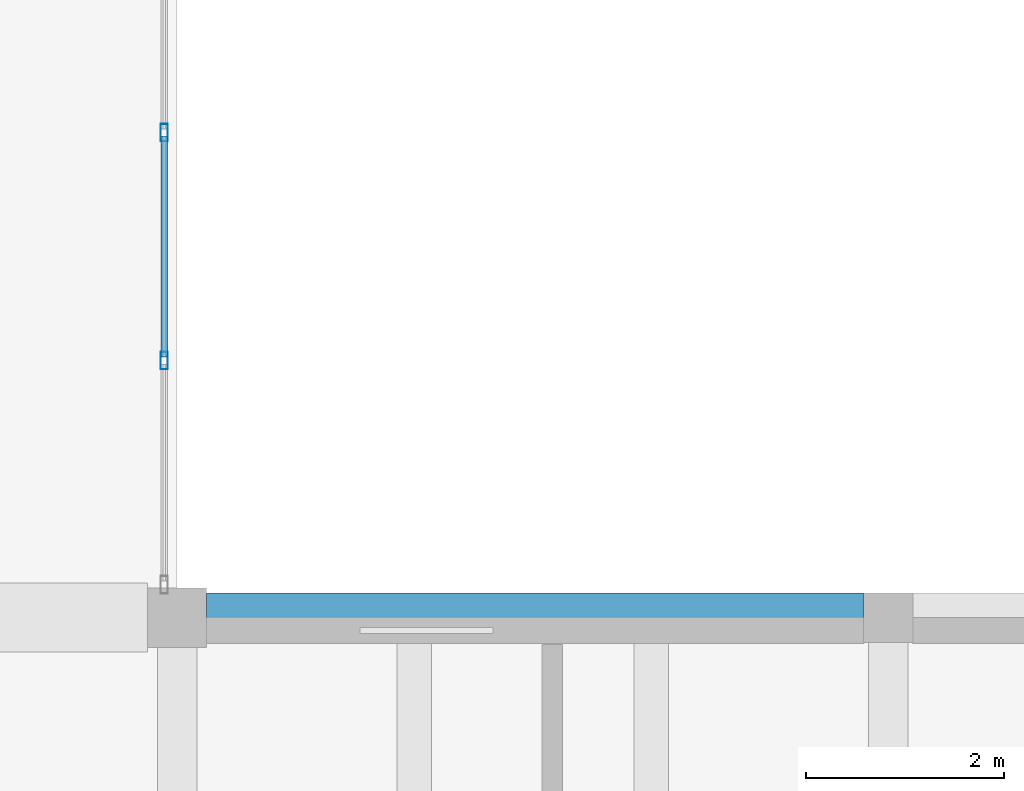
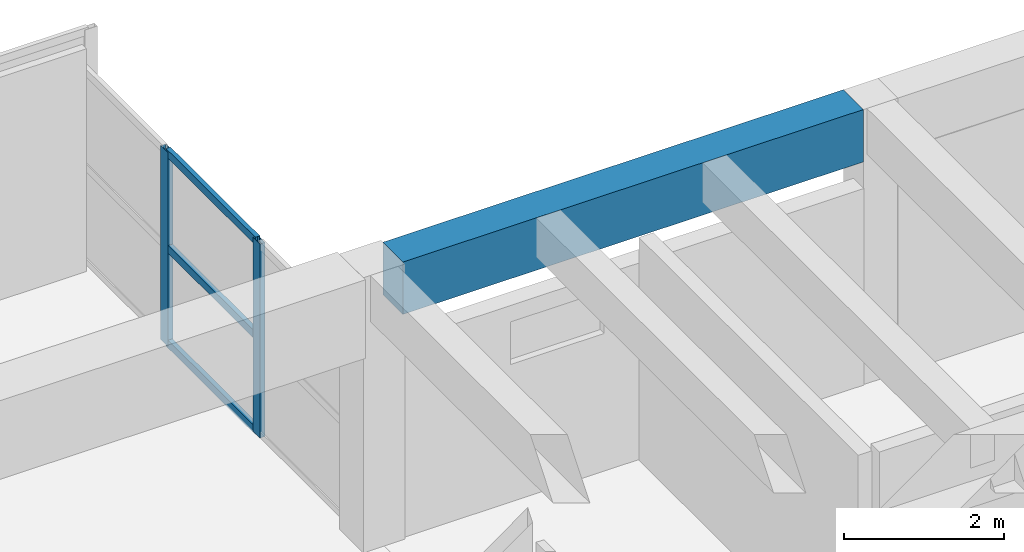
# One storey, part 88 of 153: 5 members, 1 beam, 1 element without a shape of its own.
"""IFC4 building model written with IfcOpenShell, lengths in metres."""

from ifc_helpers import new_model, si_unit, direction, frame, origin, origin_2d, place, context, subcontext, project, spatial, rectangle, hollow_rectangle, extrude, material, material_profile, profile_set, type_object, element, aggregate, save


model = new_model("IFC4")

# Units and contexts
model_context = context("Model", 3, precision=1e-05, world=origin(), true_north=direction((0.0, 1.0)))
body_context = subcontext(model_context, "Body", "Model", "MODEL_VIEW")
ifc_project = project(units=[si_unit("LENGTHUNIT", "METRE"), si_unit("AREAUNIT", "SQUARE_METRE"), si_unit("VOLUMEUNIT", "CUBIC_METRE"), si_unit("PLANEANGLEUNIT", "RADIAN"), si_unit("MASSUNIT", "GRAM", prefix="KILO")], contexts=[model_context])

# Site, building, storey
site_placement = place(None, origin())
site = spatial("IfcSite", under=ifc_project, at=site_placement, CompositionType="ELEMENT")
building_placement = place(site_placement, origin())
building = spatial("IfcBuilding", under=site, at=building_placement, Name="Bramvelor Terrace Health Centre", CompositionType="ELEMENT")
storey_placement = place(building_placement, frame((0.0, 0.0, 4.800048828125)))
storey = spatial("IfcBuildingStorey", under=building, at=storey_placement, Name="L02", CompositionType="ELEMENT", Elevation=4.800048828125)

# Beam
ifc_material_1 = material(Name="Concrete C40/50", Category="concrete")
ifc_material_profile_1 = material_profile(ifc_material_1, rectangle(XDim=0.5, YDim=0.800048828125, at=origin_2d()), Name="RC 500x800")
ifc_profile_set_1 = profile_set([ifc_material_profile_1], Name="Concrete C40/50")
beam_type = type_object("IfcBeamType", Name="BM-RC-G800", PredefinedType="BEAM", material=ifc_profile_set_1)
beam_placement = place(storey_placement, frame((43.5, 100.800048828125, 3.800048828125), z_axis=(1.0, 0.0, 0.0), x_axis=(0.0, 1.0, 0.0)))
element("IfcBeam", 1, at=beam_placement, inside=storey, type_object=beam_type, Name="L02 Floor Girder", PredefinedType="BEAM", context=body_context, shape_type="SweptSolid", body=[
    extrude(rectangle(XDim=0.5, YDim=0.800048828125, at=origin_2d()), origin(), (0.0, 0.0, 1.0), 6.64990234375),
])

# Curtain wall, members
ifc_material_2 = material(Name="Anodized aluminium and double low-E glass", Category="aluminium")
curtain_wall_type = type_object("IfcCurtainWallType", Name="CW-SYS-15", PredefinedType="NOTDEFINED", material=ifc_material_2)
curtain_wall_placement = place(storey_placement, origin())
curtain_wall = element("IfcCurtainWall", 2, at=curtain_wall_placement, inside=storey, type_object=curtain_wall_type, Name="L02 Unitized Curtain Wall 85", PredefinedType="NOTDEFINED")
ifc_material_3 = material(Name="Anodized aluminium 6063-T6", Category="aluminium")
ifc_material_profile_2 = material_profile(ifc_material_3, hollow_rectangle(XDim=0.074951171875, YDim=0.179931640625, WallThickness=0.00341796875, at=origin_2d()), Name="ALU-MUL 75x180x3.5")
ifc_profile_set_2 = profile_set([ifc_material_profile_2], Name="Anodized aluminium 6063-T6")
member_type_1 = type_object("IfcMemberType", Name="CW-MUL-65x180", PredefinedType="MULLION", material=ifc_profile_set_2)
member_1_placement = place(storey_placement, frame((43.070068359375, 105.711669921875, 0.0), z_axis=(0.0, 0.0, 1.0), x_axis=(1.0, 0.0, 0.0)))
member_1 = element("IfcMember", 3, at=member_1_placement, type_object=member_type_1, Name="CW-15 mullion 2", PredefinedType="MULLION", context=body_context, shape_type="SweptSolid", body=[
    extrude(hollow_rectangle(XDim=0.074951171875, YDim=0.179931640625, WallThickness=0.00341796875, at=origin_2d()), origin(), (0.0, 0.0, 1.0), 2.9599609375),
])
member_2_placement = place(storey_placement, frame((43.070068359375, 103.4033203125, 0.0), z_axis=(0.0, 0.0, 1.0), x_axis=(1.0, 0.0, 0.0)))
member_2 = element("IfcMember", 4, at=member_2_placement, type_object=member_type_1, Name="CW-15 mullion 3", PredefinedType="MULLION", context=body_context, shape_type="SweptSolid", body=[
    extrude(hollow_rectangle(XDim=0.074951171875, YDim=0.179931640625, WallThickness=0.00341796875, at=origin_2d()), origin(), (0.0, 0.0, 1.0), 2.9599609375),
])
ifc_material_4 = material(Name="Anodized aluminium 6063-T6", Category="aluminium")
ifc_material_profile_3 = material_profile(ifc_material_4, hollow_rectangle(XDim=0.06494140625, YDim=0.1201171875, WallThickness=0.0029296875, at=origin_2d()), Name="ALU-TRN 65x120x3.0")
ifc_profile_set_3 = profile_set([ifc_material_profile_3], Name="Anodized aluminium 6063-T6")
member_type_2 = type_object("IfcMemberType", Name="CW-TRN-65x150", PredefinedType="USERDEFINED", material=ifc_profile_set_3)
member_3_placement = place(storey_placement, frame((43.070068359375, 105.674072265625, 0.032470703125), z_axis=(0.0, -1.0, 0.0), x_axis=(1.0, 0.0, 0.0)))
member_3 = element("IfcMember", 5, at=member_3_placement, type_object=member_type_2, Name="CW-15 transom 2.1", ObjectType="TRANSOM", PredefinedType="USERDEFINED", context=body_context, shape_type="SweptSolid", body=[
    extrude(hollow_rectangle(XDim=0.06494140625, YDim=0.1201171875, WallThickness=0.0029296875, at=origin_2d()), origin(), (0.0, 0.0, 1.0), 2.233154296875),
])
member_4_placement = place(storey_placement, frame((43.070068359375, 105.674072265625, 1.47998046875), z_axis=(0.0, -1.0, 0.0), x_axis=(1.0, 0.0, 0.0)))
member_4 = element("IfcMember", 6, at=member_4_placement, type_object=member_type_2, Name="CW-15 transom 2.2", ObjectType="TRANSOM", PredefinedType="USERDEFINED", context=body_context, shape_type="SweptSolid", body=[
    extrude(hollow_rectangle(XDim=0.06494140625, YDim=0.1201171875, WallThickness=0.0029296875, at=origin_2d()), origin(), (0.0, 0.0, 1.0), 2.233154296875),
])
member_5_placement = place(storey_placement, frame((43.070068359375, 105.674072265625, 2.927490234375), z_axis=(0.0, -1.0, 0.0), x_axis=(1.0, 0.0, 0.0)))
member_5 = element("IfcMember", 7, at=member_5_placement, type_object=member_type_2, Name="CW-15 transom 2.3", ObjectType="TRANSOM", PredefinedType="USERDEFINED", context=body_context, shape_type="SweptSolid", body=[
    extrude(hollow_rectangle(XDim=0.06494140625, YDim=0.1201171875, WallThickness=0.0029296875, at=origin_2d()), origin(), (0.0, 0.0, 1.0), 2.233154296875),
])
aggregate(curtain_wall, [member_1, member_2, member_3, member_4, member_5])

save(model, "model.ifc")
